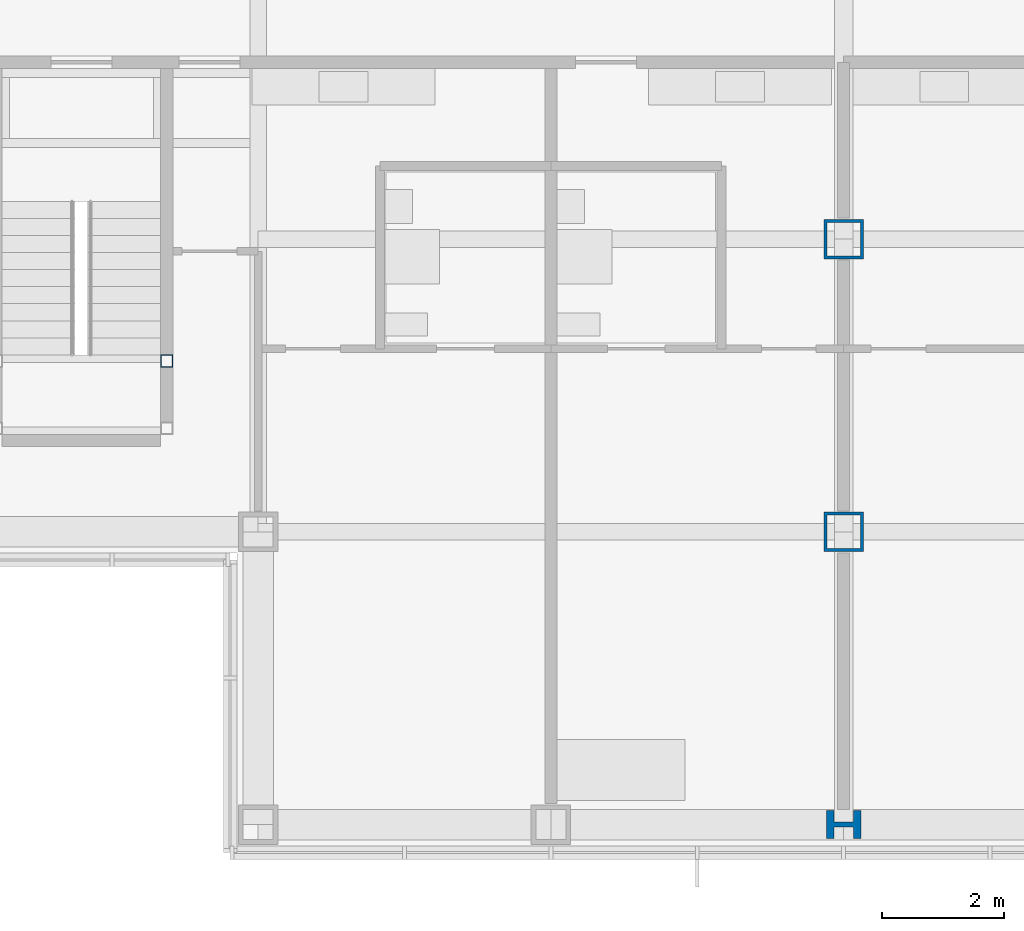
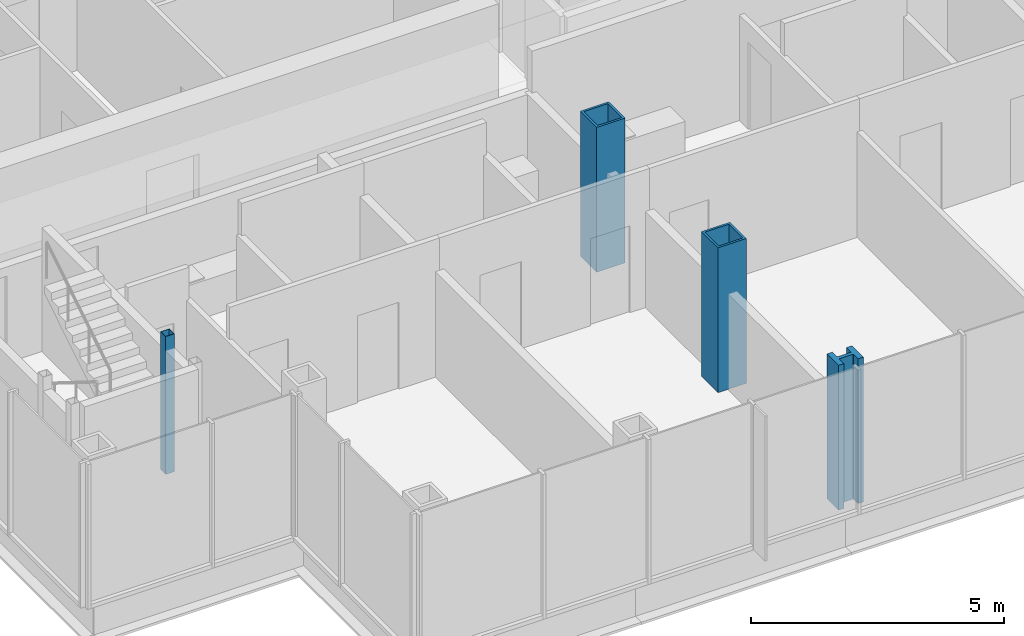
# One storey, part 2 of 20: 4 columns.
"""IFC4 building model written with IfcOpenShell, lengths in metres."""

from ifc_helpers import new_model, si_unit, direction, frame, origin, origin_2d, place, context, subcontext, project, spatial, hollow_rectangle, i_section, extrude, material, material_profile, profile_set, type_object, element, save


model = new_model("IFC4")

# Units and contexts
model_context = context("Model", 3, precision=1e-05, world=origin(), true_north=direction((0.0, 1.0)))
body_context = subcontext(model_context, "Body", "Model", "MODEL_VIEW")
ifc_project = project(units=[si_unit("LENGTHUNIT", "METRE"), si_unit("AREAUNIT", "SQUARE_METRE"), si_unit("VOLUMEUNIT", "CUBIC_METRE"), si_unit("PLANEANGLEUNIT", "RADIAN"), si_unit("MASSUNIT", "GRAM", prefix="KILO")], contexts=[model_context])

# Site, building, storey
site_placement = place(None, origin())
site = spatial("IfcSite", under=ifc_project, at=site_placement, CompositionType="ELEMENT")
building_placement = place(site_placement, origin())
building = spatial("IfcBuilding", under=site, at=building_placement, Name="Kvirike Care Tower", CompositionType="ELEMENT")
storey_placement = place(building_placement, frame((0.0, 0.0, 94.5)))
storey = spatial("IfcBuildingStorey", under=building, at=storey_placement, Name="L25", CompositionType="ELEMENT", Elevation=94.5)

# Columns
ifc_material_1 = material(Name="Steel S460", Category="steel")
ifc_material_profile_1 = material_profile(ifc_material_1, hollow_rectangle(XDim=0.64990234375, YDim=0.64990234375, WallThickness=0.050048828125, at=origin_2d()), Name="BX 650x650x50")
ifc_profile_set_1 = profile_set([ifc_material_profile_1], Name="Steel S460")
column_type_1 = type_object("IfcColumnType", Name="COLUMN BX 650x650x50", PredefinedType="COLUMN", material=ifc_profile_set_1)
for number, where, z_axis, x_axis, name in (
    (1, (28.800048828125, 19.199951171875, 0.0), (0.0, 0.0, 1.0), (1.0, 0.0, 0.0), "Column E9 L25"),
    (2, (28.800048828125, 24.0, 0.0), (0.0, 0.0, 1.0), (1.0, 0.0, 0.0), "Column F9 L25"),
):
    element("IfcColumn", number, at=place(storey_placement, frame(where, z_axis=z_axis, x_axis=x_axis)), inside=storey, type_object=column_type_1, Name=name, PredefinedType="COLUMN", context=body_context, shape_type="SweptSolid", body=[
        extrude(hollow_rectangle(XDim=0.64990234375, YDim=0.64990234375, WallThickness=0.050048828125, at=origin_2d()), origin(), (0.0, 0.0, 1.0), 3.5),
    ])
ifc_material_2 = material(Name="Steel S460", Category="steel")
ifc_material_profile_2 = material_profile(ifc_material_2, i_section(OverallWidth=0.4541015625, OverallDepth=0.569091796875, WebThickness=0.077880859375, FlangeThickness=0.125, FilletRadius=0.014892578125, at=origin_2d()), Name="HD 400x1086")
ifc_profile_set_2 = profile_set([ifc_material_profile_2], Name="Steel S460")
column_type_2 = type_object("IfcColumnType", Name="COLUMN HD 400x1086", PredefinedType="COLUMN", material=ifc_profile_set_2)
column_1_placement = place(storey_placement, frame((28.800048828125, 14.39990234375, 0.0), z_axis=(0.0, 0.0, 1.0), x_axis=(0.0, 1.0, 0.0)))
element("IfcColumn", 3, at=column_1_placement, inside=storey, type_object=column_type_2, Name="Column D9 L25", PredefinedType="COLUMN", context=body_context, shape_type="SweptSolid", body=[
    extrude(i_section(OverallWidth=0.4541015625, OverallDepth=0.569091796875, WebThickness=0.077880859375, FlangeThickness=0.125, FilletRadius=0.014892578125, at=origin_2d()), origin(), (0.0, 0.0, 1.0), 3.5),
])
ifc_material_3 = material(Name="Steel S460", Category="steel")
ifc_material_profile_3 = material_profile(ifc_material_3, hollow_rectangle(XDim=0.199951171875, YDim=0.199951171875, WallThickness=0.008056640625, at=origin_2d()), Name="SHS 200x200x8")
ifc_profile_set_3 = profile_set([ifc_material_profile_3], Name="Steel S460")
column_type_3 = type_object("IfcColumnType", Name="STAIR POST SHS 200x200x8", PredefinedType="COLUMN", material=ifc_profile_set_3)
column_2_placement = place(storey_placement, frame((17.699951171875, 22.0, 0.0), z_axis=(0.0, 0.0, 1.0), x_axis=(1.0, 0.0, 0.0)))
element("IfcColumn", 4, at=column_2_placement, inside=storey, type_object=column_type_3, Name="Stair 5 post 4 L25", PredefinedType="COLUMN", context=body_context, shape_type="SweptSolid", body=[
    extrude(hollow_rectangle(XDim=0.199951171875, YDim=0.199951171875, WallThickness=0.008056640625, at=origin_2d()), origin(), (0.0, 0.0, 1.0), 3.330078125),
])

save(model, "model.ifc")
